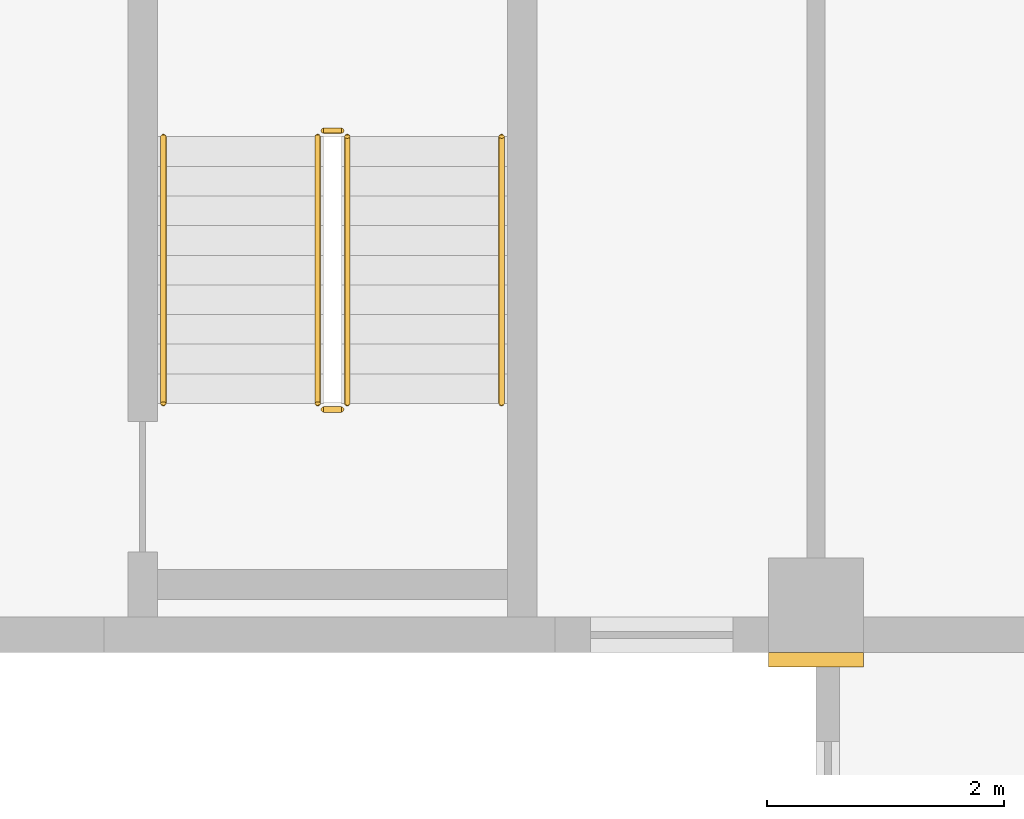
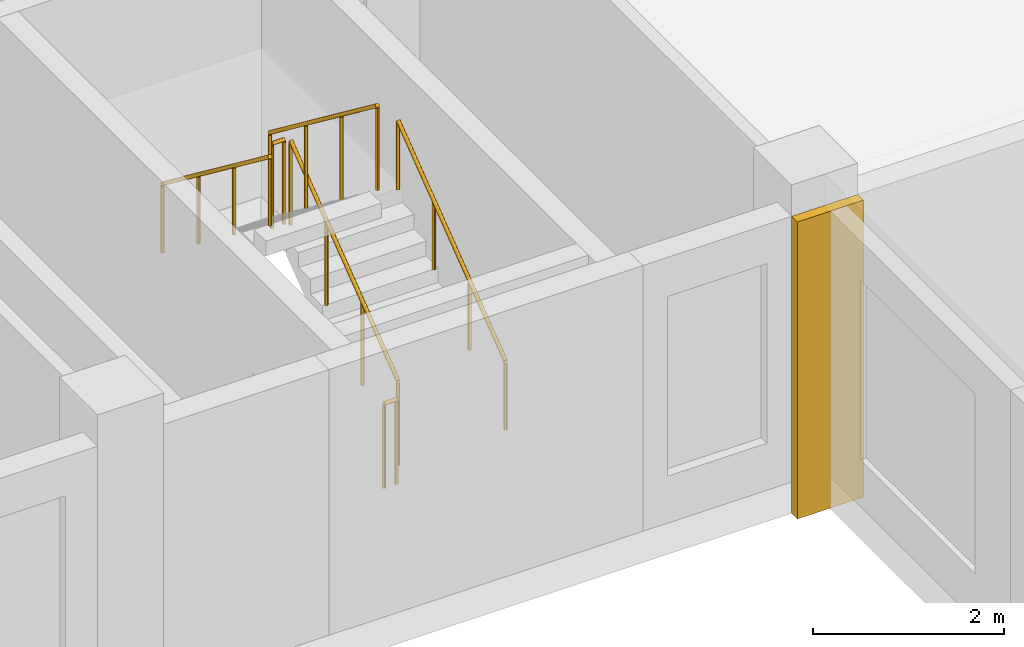
# One storey, part 10 of 11: 6 railings, 1 covering.
"""IFC4 building model written with IfcOpenShell, lengths in metres."""

from ifc_helpers import new_model, si_unit, direction, frame, origin, origin_2d, place, context, subcontext, project, spatial, rectangle, circle, extrude, source, transform, mapped, material, type_object, element, save


model = new_model("IFC4")

# Units and contexts
model_context = context("Model", 3, precision=1e-05, world=origin(), true_north=direction((0.0, 1.0)))
body_context = subcontext(model_context, "Body", "Model", "MODEL_VIEW")
ifc_project = project(units=[si_unit("LENGTHUNIT", "METRE"), si_unit("AREAUNIT", "SQUARE_METRE"), si_unit("VOLUMEUNIT", "CUBIC_METRE"), si_unit("PLANEANGLEUNIT", "RADIAN"), si_unit("MASSUNIT", "GRAM", prefix="KILO")], contexts=[model_context])

# Site, building, storey
site_placement = place(None, origin())
site = spatial("IfcSite", under=ifc_project, at=site_placement, CompositionType="ELEMENT")
building_placement = place(site_placement, origin())
building = spatial("IfcBuilding", under=site, at=building_placement, Name="Aurelian Terraces", CompositionType="ELEMENT")
storey_placement = place(building_placement, frame((0.0, 0.0, 227.2)))
storey = spatial("IfcBuildingStorey", under=building, at=storey_placement, Name="L51", CompositionType="ELEMENT", Elevation=227.2)

# Covering
ifc_material_1 = material(Name="Terracotta rainscreen cladding relief", Category="masonry")
covering_type = type_object("IfcCoveringType", Name="BAGUETTE-TC", PredefinedType="CLADDING", material=ifc_material_1)
shared_shape_1 = source(origin(), body_context, "Body", "SweptSolid", [
    extrude(rectangle(XDim=0.8, YDim=0.12, at=origin_2d()), origin(), (0.0, 0.0, 1.0), 3.8),
])
covering_placement = place(storey_placement, frame((46.2, -0.06, -0.4), z_axis=(0.0, 0.0, 1.0), x_axis=(1.0, 0.0, 0.0)))
element("IfcCovering", 1, at=covering_placement, inside=storey, type_object=covering_type, Name="BAGUETTE pier L51 3", PredefinedType="CLADDING", context=body_context, shape_type="MappedRepresentation", body=[
    mapped(shared_shape_1, transform((0.0, 0.0, 0.0), scale=1.0)),
])

# Railings
ifc_material_2 = material(Name="Stainless steel", Category="steel")
railing_type_1 = type_object("IfcRailingType", Name="Stair guard 1100", PredefinedType="GUARDRAIL", material=ifc_material_2)
shared_shape_2 = source(origin(), body_context, "Body", "SweptSolid", [
    extrude(circle(Radius=0.024, at=origin_2d()), frame((0.0, 0.0, 1.076), z_axis=(-1.0, 0.0, 0.0), x_axis=(0.0, -1.0, 0.0)), (0.0, 0.0, 1.0), 0.15),
    extrude(circle(Radius=0.021, at=origin_2d()), origin(), (0.0, 0.0, 1.0), 1.052),
    extrude(circle(Radius=0.021, at=origin_2d()), frame((-0.15, 0.0, 0.0)), (0.0, 0.0, 1.0), 1.052),
])
for number, where, name in (
    (2, (42.2, 4.4, 1.9), "L51 S2 stair guard 2"),
    (3, (42.2, 2.05, 0.0), "L51 S2 stair guard 4"),
):
    element("IfcRailing", number, at=place(storey_placement, frame(where)), inside=storey, type_object=railing_type_1, Name=name, PredefinedType="GUARDRAIL", context=body_context, shape_type="MappedRepresentation", body=[
        mapped(shared_shape_2, transform((0.0, 0.0, 0.0), scale=1.0)),
    ])
shared_shape_3 = source(origin(), body_context, "Body", "SweptSolid", [
    extrude(circle(Radius=0.024, at=origin_2d()), frame((0.0, 0.0, 1.076), z_axis=(0.0, 0.796162194123, 0.605083267534), x_axis=(-1.0, 0.0, 0.0)), (0.0, 0.0, 1.0), 2.8261),
    extrude(circle(Radius=0.021, at=origin_2d()), origin(), (0.0, 0.0, 1.0), 1.052),
    extrude(circle(Radius=0.021, at=origin_2d()), frame((0.0, 0.75, 0.57)), (0.0, 0.0, 1.0), 1.052),
    extrude(circle(Radius=0.021, at=origin_2d()), frame((0.0, 1.5, 1.14)), (0.0, 0.0, 1.0), 1.052),
    extrude(circle(Radius=0.021, at=origin_2d()), frame((0.0, 2.25, 1.71)), (0.0, 0.0, 1.0), 1.052),
])
railing_1_placement = place(storey_placement, frame((42.25, 2.1, 0.19)))
element("IfcRailing", 4, at=railing_1_placement, inside=storey, type_object=railing_type_1, Name="L51 S2 stair guard 1", PredefinedType="GUARDRAIL", context=body_context, shape_type="MappedRepresentation", body=[
    mapped(shared_shape_3, transform((0.0, 0.0, 0.0), scale=1.0)),
])
shared_shape_4 = source(origin(), body_context, "Body", "SweptSolid", [
    extrude(circle(Radius=0.024, at=origin_2d()), frame((0.0, 0.0, 1.076), z_axis=(0.0, -0.796162194123, 0.605083267534), x_axis=(1.0, 0.0, 0.0)), (0.0, 0.0, 1.0), 2.8261),
    extrude(circle(Radius=0.021, at=origin_2d()), origin(), (0.0, 0.0, 1.0), 1.052),
    extrude(circle(Radius=0.021, at=origin_2d()), frame((0.0, -0.75, 0.57)), (0.0, 0.0, 1.0), 1.052),
    extrude(circle(Radius=0.021, at=origin_2d()), frame((0.0, -1.5, 1.14)), (0.0, 0.0, 1.0), 1.052),
    extrude(circle(Radius=0.021, at=origin_2d()), frame((0.0, -2.25, 1.71)), (0.0, 0.0, 1.0), 1.052),
])
railing_2_placement = place(storey_placement, frame((42.0, 4.35, 2.09)))
element("IfcRailing", 5, at=railing_2_placement, inside=storey, type_object=railing_type_1, Name="L51 S2 stair guard 3", PredefinedType="GUARDRAIL", context=body_context, shape_type="MappedRepresentation", body=[
    mapped(shared_shape_4, transform((0.0, 0.0, 0.0), scale=1.0)),
])
railing_type_2 = type_object("IfcRailingType", Name="Stair handrail", PredefinedType="HANDRAIL", material=ifc_material_2)
shared_shape_5 = source(origin(), body_context, "Body", "SweptSolid", [
    extrude(circle(Radius=0.024, at=origin_2d()), frame((0.0, 0.0, 0.876), z_axis=(0.0, 0.796162194123, 0.605083267534), x_axis=(-1.0, 0.0, 0.0)), (0.0, 0.0, 1.0), 2.8261),
    extrude(circle(Radius=0.021, at=origin_2d()), origin(), (0.0, 0.0, 1.0), 0.852),
    extrude(circle(Radius=0.021, at=origin_2d()), frame((0.0, 0.75, 0.57)), (0.0, 0.0, 1.0), 0.852),
    extrude(circle(Radius=0.021, at=origin_2d()), frame((0.0, 1.5, 1.14)), (0.0, 0.0, 1.0), 0.852),
    extrude(circle(Radius=0.021, at=origin_2d()), frame((0.0, 2.25, 1.71)), (0.0, 0.0, 1.0), 0.852),
])
railing_3_placement = place(storey_placement, frame((43.55, 2.1, 0.19)))
element("IfcRailing", 6, at=railing_3_placement, inside=storey, type_object=railing_type_2, Name="L51 S2 stair handrail 1", PredefinedType="HANDRAIL", context=body_context, shape_type="MappedRepresentation", body=[
    mapped(shared_shape_5, transform((0.0, 0.0, 0.0), scale=1.0)),
])
shared_shape_6 = source(origin(), body_context, "Body", "SweptSolid", [
    extrude(circle(Radius=0.024, at=origin_2d()), frame((0.0, 0.0, 0.876), z_axis=(0.0, -0.796162194123, 0.605083267534), x_axis=(1.0, 0.0, 0.0)), (0.0, 0.0, 1.0), 2.8261),
    extrude(circle(Radius=0.021, at=origin_2d()), origin(), (0.0, 0.0, 1.0), 0.852),
    extrude(circle(Radius=0.021, at=origin_2d()), frame((0.0, -0.75, 0.57)), (0.0, 0.0, 1.0), 0.852),
    extrude(circle(Radius=0.021, at=origin_2d()), frame((0.0, -1.5, 1.14)), (0.0, 0.0, 1.0), 0.852),
    extrude(circle(Radius=0.021, at=origin_2d()), frame((0.0, -2.25, 1.71)), (0.0, 0.0, 1.0), 0.852),
])
railing_4_placement = place(storey_placement, frame((40.7, 4.35, 2.09)))
element("IfcRailing", 7, at=railing_4_placement, inside=storey, type_object=railing_type_2, Name="L51 S2 stair handrail 2", PredefinedType="HANDRAIL", context=body_context, shape_type="MappedRepresentation", body=[
    mapped(shared_shape_6, transform((0.0, 0.0, 0.0), scale=1.0)),
])

save(model, "model.ifc")
